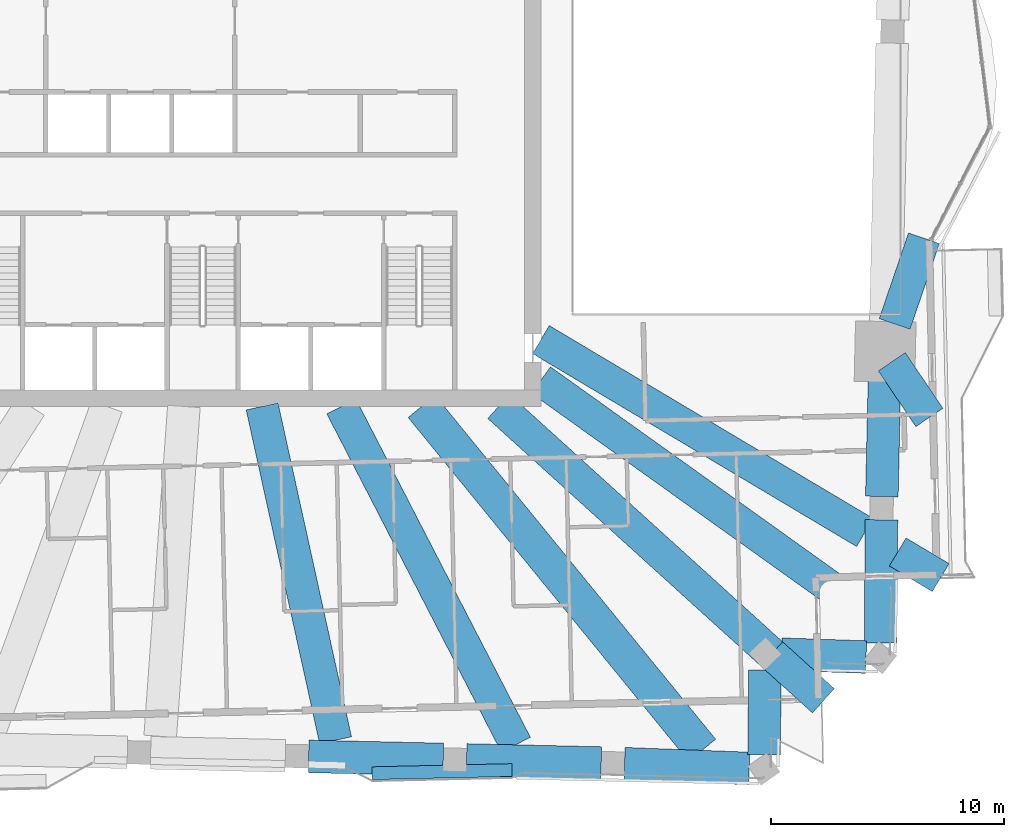
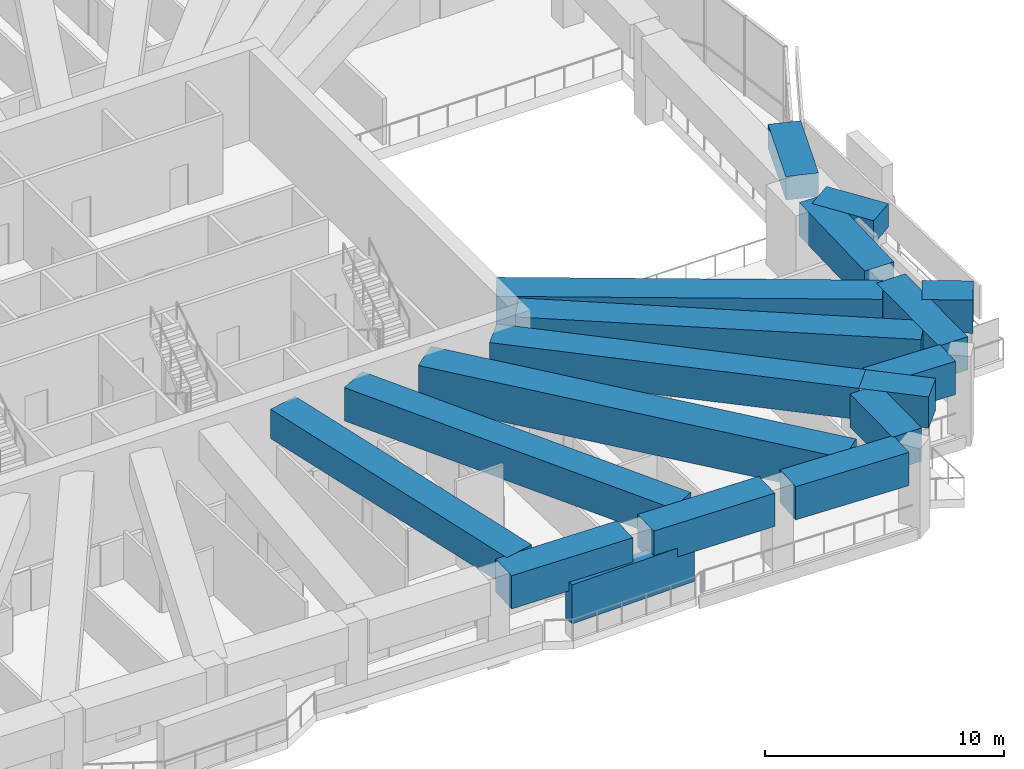
# One storey, part 3 of 21: 17 beams, 1 member.
"""IFC4 building model written with IfcOpenShell, lengths in metres."""

from ifc_helpers import new_model, si_unit, direction, frame, origin, origin_2d, place, context, subcontext, project, spatial, rectangle, extrude, material, material_profile, profile_set, type_object, element, save


model = new_model("IFC4")

# Units and contexts
model_context = context("Model", 3, precision=1e-05, world=origin(), true_north=direction((0.0, 1.0)))
body_context = subcontext(model_context, "Body", "Model", "MODEL_VIEW")
ifc_project = project(units=[si_unit("LENGTHUNIT", "METRE"), si_unit("AREAUNIT", "SQUARE_METRE"), si_unit("VOLUMEUNIT", "CUBIC_METRE"), si_unit("PLANEANGLEUNIT", "RADIAN"), si_unit("MASSUNIT", "GRAM", prefix="KILO")], contexts=[model_context])

# Site, building, storey
site_placement = place(None, origin())
site = spatial("IfcSite", under=ifc_project, at=site_placement, CompositionType="ELEMENT")
building_placement = place(site_placement, origin())
building = spatial("IfcBuilding", under=site, at=building_placement, Name="Mangrove Gate Tower", CompositionType="ELEMENT")
storey_placement = place(building_placement, frame((0.0, 0.0, 275.300048828125)))
storey = spatial("IfcBuildingStorey", under=building, at=storey_placement, Name="L70", CompositionType="ELEMENT", Elevation=275.300048828125)

# Member
ifc_material_1 = material(Name="Planting on aluminium trellis", Category="aluminium")
ifc_material_profile_1 = material_profile(ifc_material_1, rectangle(XDim=0.550048828125, YDim=2.0, at=origin_2d()))
ifc_profile_set_1 = profile_set([ifc_material_profile_1], Name="Planting on aluminium trellis")
member_type = type_object("IfcMemberType", Name="Balcony greenery screen 550x2000", PredefinedType="USERDEFINED", material=ifc_profile_set_1)
member_placement = place(storey_placement, frame((7.257080078125, -27.243896484375, 1.800048828125), z_axis=(0.999743178102, 0.022662255828, 0.0), x_axis=(-0.022662255828, 0.999743178102, 0.0)))
element("IfcMember", 1, at=member_placement, inside=storey, type_object=member_type, Name="GREEN SCREEN L70 S1.1", ObjectType="PLANTING", PredefinedType="USERDEFINED", context=body_context, shape_type="SweptSolid", body=[
    extrude(rectangle(XDim=0.550048828125, YDim=2.0, at=origin_2d()), origin(), (0.0, 0.0, 1.0), 6.00048828125),
])

# Beams
ifc_material_2 = material(Name="Concrete C50/60", Category="concrete")
ifc_material_profile_2 = material_profile(ifc_material_2, rectangle(XDim=1.39990234375, YDim=1.199951171875, at=origin_2d()))
ifc_profile_set_2 = profile_set([ifc_material_profile_2], Name="Concrete C50/60")
beam_type_1 = type_object("IfcBeamType", Name="Transfer girder RC 1400x1200 C50/60", PredefinedType="BEAM", material=ifc_profile_set_2)
beam_1_placement = place(storey_placement, frame((29.5595703125, -9.57958984375, 3.449951171875), z_axis=(0.558754798565, -0.829332909681, 0.0), x_axis=(0.829332909681, 0.558754798565, 0.0)))
element("IfcBeam", 2, at=beam_1_placement, inside=storey, type_object=beam_type_1, Name="Transfer edge girder L70 15", PredefinedType="BEAM", context=body_context, shape_type="SweptSolid", body=[
    extrude(rectangle(XDim=1.39990234375, YDim=1.199951171875, at=origin_2d()), origin(), (0.0, 0.0, 1.0), 2.885498046875),
])
beam_2_placement = place(storey_placement, frame((29.681396484375, -7.958984375, 3.449951171875), z_axis=(0.323208320781, 0.946327840327, 0.0), x_axis=(-0.946327840327, 0.323208320781, 0.0)))
element("IfcBeam", 3, at=beam_2_placement, inside=storey, type_object=beam_type_1, Name="Transfer edge girder L70 16", PredefinedType="BEAM", context=body_context, shape_type="SweptSolid", body=[
    extrude(rectangle(XDim=1.39990234375, YDim=1.199951171875, at=origin_2d()), origin(), (0.0, 0.0, 1.0), 3.887939453125),
])
ifc_material_3 = material(Name="Concrete C50/60", Category="concrete")
ifc_material_profile_3 = material_profile(ifc_material_3, rectangle(XDim=1.39990234375, YDim=1.5, at=origin_2d()))
ifc_profile_set_3 = profile_set([ifc_material_profile_3], Name="Concrete C50/60")
beam_type_2 = type_object("IfcBeamType", Name="Transfer girder RC 1400x1500 C50/60", PredefinedType="BEAM", material=ifc_profile_set_3)
beam_3_placement = place(storey_placement, frame((2.53076171875, -11.5, 3.300048828125), z_axis=(0.214946216218, -0.976625887499, 0.0), x_axis=(0.976625887499, 0.214946216218, 0.0)))
element("IfcBeam", 4, at=beam_3_placement, inside=storey, type_object=beam_type_2, Name="Transfer girder L70 09", PredefinedType="BEAM", context=body_context, shape_type="SweptSolid", body=[
    extrude(rectangle(XDim=1.39990234375, YDim=1.5, at=origin_2d()), origin(), (0.0, 0.0, 1.0), 14.672607421875),
])
ifc_material_4 = material(Name="Concrete C50/60", Category="concrete")
ifc_material_profile_4 = material_profile(ifc_material_4, rectangle(XDim=1.39990234375, YDim=1.60009765625, at=origin_2d()))
ifc_profile_set_4 = profile_set([ifc_material_profile_4], Name="Concrete C50/60")
beam_type_3 = type_object("IfcBeamType", Name="Transfer girder RC 1400x1600 C50/60", PredefinedType="BEAM", material=ifc_profile_set_4)
beam_4_placement = place(storey_placement, frame((12.686767578125, -11.5, 3.25), z_axis=(0.740911577891, -0.671602586168, 0.0), x_axis=(0.671602586168, 0.740911577891, 0.0)))
element("IfcBeam", 5, at=beam_4_placement, inside=storey, type_object=beam_type_3, Name="Transfer girder L70 12", PredefinedType="BEAM", context=body_context, shape_type="SweptSolid", body=[
    extrude(rectangle(XDim=1.39990234375, YDim=1.60009765625, at=origin_2d()), origin(), (0.0, 0.0, 1.0), 15.81591796875),
])
beam_5_placement = place(storey_placement, frame((24.405029296875, -22.1220703125, 3.25), z_axis=(0.740876620136, -0.671641149526, 0.0), x_axis=(0.671641149526, 0.740876620136, 0.0)))
element("IfcBeam", 6, at=beam_5_placement, inside=storey, type_object=beam_type_3, Name="Transfer cantilever girder L70 12", PredefinedType="BEAM", context=body_context, shape_type="SweptSolid", body=[
    extrude(rectangle(XDim=1.39990234375, YDim=1.60009765625, at=origin_2d()), origin(), (0.0, 0.0, 1.0), 2.993896484375),
])
ifc_material_5 = material(Name="Concrete C50/60", Category="concrete")
ifc_material_profile_5 = material_profile(ifc_material_5, rectangle(XDim=1.39990234375, YDim=1.699951171875, at=origin_2d()))
ifc_profile_set_5 = profile_set([ifc_material_profile_5], Name="Concrete C50/60")
beam_type_4 = type_object("IfcBeamType", Name="Transfer girder RC 1400x1700 C50/60", PredefinedType="BEAM", material=ifc_profile_set_5)
beam_6_placement = place(storey_placement, frame((4.52734375, -26.5224609375, 3.199951171875), z_axis=(0.999741900943, -0.022718527675, 0.0), x_axis=(0.022718527675, 0.999741900943, 0.0)))
element("IfcBeam", 7, at=beam_6_placement, inside=storey, type_object=beam_type_4, Name="Transfer ring girder L70 08", PredefinedType="BEAM", context=body_context, shape_type="SweptSolid", body=[
    extrude(rectangle(XDim=1.39990234375, YDim=1.699951171875, at=origin_2d()), origin(), (0.0, 0.0, 1.0), 5.781494140625),
])
beam_7_placement = place(storey_placement, frame((11.30712890625, -26.676513671875, 3.199951171875), z_axis=(0.999741922736, -0.022717568611, 0.0), x_axis=(0.022717568611, 0.999741922736, 0.0)))
element("IfcBeam", 8, at=beam_7_placement, inside=storey, type_object=beam_type_4, Name="Transfer ring girder L70 09", PredefinedType="BEAM", context=body_context, shape_type="SweptSolid", body=[
    extrude(rectangle(XDim=1.39990234375, YDim=1.699951171875, at=origin_2d()), origin(), (0.0, 0.0, 1.0), 5.78173828125),
])
beam_8_placement = place(storey_placement, frame((18.087158203125, -26.837890625, 3.199951171875), z_axis=(0.9992861355, -0.037778557385, 0.0), x_axis=(0.037778557385, 0.9992861355, 0.0)))
element("IfcBeam", 9, at=beam_8_placement, inside=storey, type_object=beam_type_4, Name="Transfer ring girder L70 10", PredefinedType="BEAM", context=body_context, shape_type="SweptSolid", body=[
    extrude(rectangle(XDim=1.39990234375, YDim=1.699951171875, at=origin_2d()), origin(), (0.0, 0.0, 1.0), 5.357421875),
])
beam_9_placement = place(storey_placement, frame((24.075439453125, -26.447998046875, 3.199951171875), z_axis=(0.011076863189, 0.999938649669, 0.0), x_axis=(-0.999938649669, 0.011076863189, 0.0)))
element("IfcBeam", 10, at=beam_9_placement, inside=storey, type_object=beam_type_4, Name="Transfer ring girder L70 11", PredefinedType="BEAM", context=body_context, shape_type="SweptSolid", body=[
    extrude(rectangle(XDim=1.39990234375, YDim=1.699951171875, at=origin_2d()), origin(), (0.0, 0.0, 1.0), 3.63671875),
])
beam_10_placement = place(storey_placement, frame((24.822509765625, -22.13623046875, 3.199951171875), z_axis=(0.999427025766, -0.033847011221, 0.0), x_axis=(0.033847011221, 0.999427025766, 0.0)))
element("IfcBeam", 11, at=beam_10_placement, inside=storey, type_object=beam_type_4, Name="Transfer ring girder L70 12", PredefinedType="BEAM", context=body_context, shape_type="SweptSolid", body=[
    extrude(rectangle(XDim=1.39990234375, YDim=1.699951171875, at=origin_2d()), origin(), (0.0, 0.0, 1.0), 3.635498046875),
])
beam_11_placement = place(storey_placement, frame((29.078369140625, -21.6494140625, 3.199951171875), z_axis=(0.00720801901, 0.999974021894, 0.0), x_axis=(-0.999974021894, 0.00720801901, 0.0)))
element("IfcBeam", 12, at=beam_11_placement, inside=storey, type_object=beam_type_4, Name="Transfer ring girder L70 13", PredefinedType="BEAM", context=body_context, shape_type="SweptSolid", body=[
    extrude(rectangle(XDim=1.39990234375, YDim=1.699951171875, at=origin_2d()), origin(), (0.0, 0.0, 1.0), 5.283935546875),
])
beam_12_placement = place(storey_placement, frame((29.131591796875, -15.36572265625, 3.199951171875), z_axis=(0.022778681813, 0.999740532166, 0.0), x_axis=(-0.999740532166, 0.022778681813, 0.0)))
element("IfcBeam", 13, at=beam_12_placement, inside=storey, type_object=beam_type_4, Name="Transfer ring girder L70 14", PredefinedType="BEAM", context=body_context, shape_type="SweptSolid", body=[
    extrude(rectangle(XDim=1.39990234375, YDim=1.699951171875, at=origin_2d()), origin(), (0.0, 0.0, 1.0), 5.712646484375),
])
beam_13_placement = place(storey_placement, frame((5.932861328125, -11.5, 3.199951171875), z_axis=(0.458484973344, -0.888702160017, 0.0), x_axis=(0.888702160017, 0.458484973344, 0.0)))
element("IfcBeam", 14, at=beam_13_placement, inside=storey, type_object=beam_type_4, Name="Transfer girder L70 10", PredefinedType="BEAM", context=body_context, shape_type="SweptSolid", body=[
    extrude(rectangle(XDim=1.39990234375, YDim=1.699951171875, at=origin_2d()), origin(), (0.0, 0.0, 1.0), 16.340576171875),
])
beam_14_placement = place(storey_placement, frame((14.5, -8.632080078125, 3.199951171875), z_axis=(0.859264938884, -0.511530805334, 0.0), x_axis=(0.511530805334, 0.859264938884, 0.0)))
element("IfcBeam", 15, at=beam_14_placement, inside=storey, type_object=beam_type_4, Name="Transfer girder L70 14", PredefinedType="BEAM", context=body_context, shape_type="SweptSolid", body=[
    extrude(rectangle(XDim=1.39990234375, YDim=1.699951171875, at=origin_2d()), origin(), (0.0, 0.0, 1.0), 16.182373046875),
])
beam_15_placement = place(storey_placement, frame((29.814208984375, -17.748779296875, 3.199951171875), z_axis=(0.859264314737, -0.511531853769, 0.0), x_axis=(0.511531853769, 0.859264314737, 0.0)))
element("IfcBeam", 16, at=beam_15_placement, inside=storey, type_object=beam_type_4, Name="Transfer cantilever girder L70 14", PredefinedType="BEAM", context=body_context, shape_type="SweptSolid", body=[
    extrude(rectangle(XDim=1.39990234375, YDim=1.699951171875, at=origin_2d()), origin(), (0.0, 0.0, 1.0), 2.146240234375),
])
ifc_material_6 = material(Name="Concrete C50/60", Category="concrete")
ifc_material_profile_6 = material_profile(ifc_material_6, rectangle(XDim=1.39990234375, YDim=1.800048828125, at=origin_2d()))
ifc_profile_set_6 = profile_set([ifc_material_profile_6], Name="Concrete C50/60")
beam_type_5 = type_object("IfcBeamType", Name="Transfer girder RC 1400x1800 C50/60", PredefinedType="BEAM", material=ifc_profile_set_6)
beam_16_placement = place(storey_placement, frame((14.5, -10.368896484375, 3.14990234375), z_axis=(0.813419279868, -0.581677810424, 0.0), x_axis=(0.581677810424, 0.813419279868, 0.0)))
element("IfcBeam", 17, at=beam_16_placement, inside=storey, type_object=beam_type_5, Name="Transfer girder L70 13", PredefinedType="BEAM", context=body_context, shape_type="SweptSolid", body=[
    extrude(rectangle(XDim=1.39990234375, YDim=1.800048828125, at=origin_2d()), origin(), (0.0, 0.0, 1.0), 17.06982421875),
])
ifc_material_7 = material(Name="Concrete C50/60", Category="concrete")
ifc_material_profile_7 = material_profile(ifc_material_7, rectangle(XDim=1.5, YDim=1.949951171875, at=origin_2d()))
ifc_profile_set_7 = profile_set([ifc_material_profile_7], Name="Concrete C50/60")
beam_type_6 = type_object("IfcBeamType", Name="Transfer girder RC 1500x1950 C50/60", PredefinedType="BEAM", material=ifc_profile_set_7)
beam_17_placement = place(storey_placement, frame((9.38037109375, -11.5, 3.074951171875), z_axis=(0.63207406247, -0.774907981345, 0.0), x_axis=(0.774907981345, 0.63207406247, 0.0)))
element("IfcBeam", 18, at=beam_17_placement, inside=storey, type_object=beam_type_6, Name="Transfer girder L70 11", PredefinedType="BEAM", context=body_context, shape_type="SweptSolid", body=[
    extrude(rectangle(XDim=1.5, YDim=1.949951171875, at=origin_2d()), origin(), (0.0, 0.0, 1.0), 19.044677734375),
])

save(model, "model.ifc")
